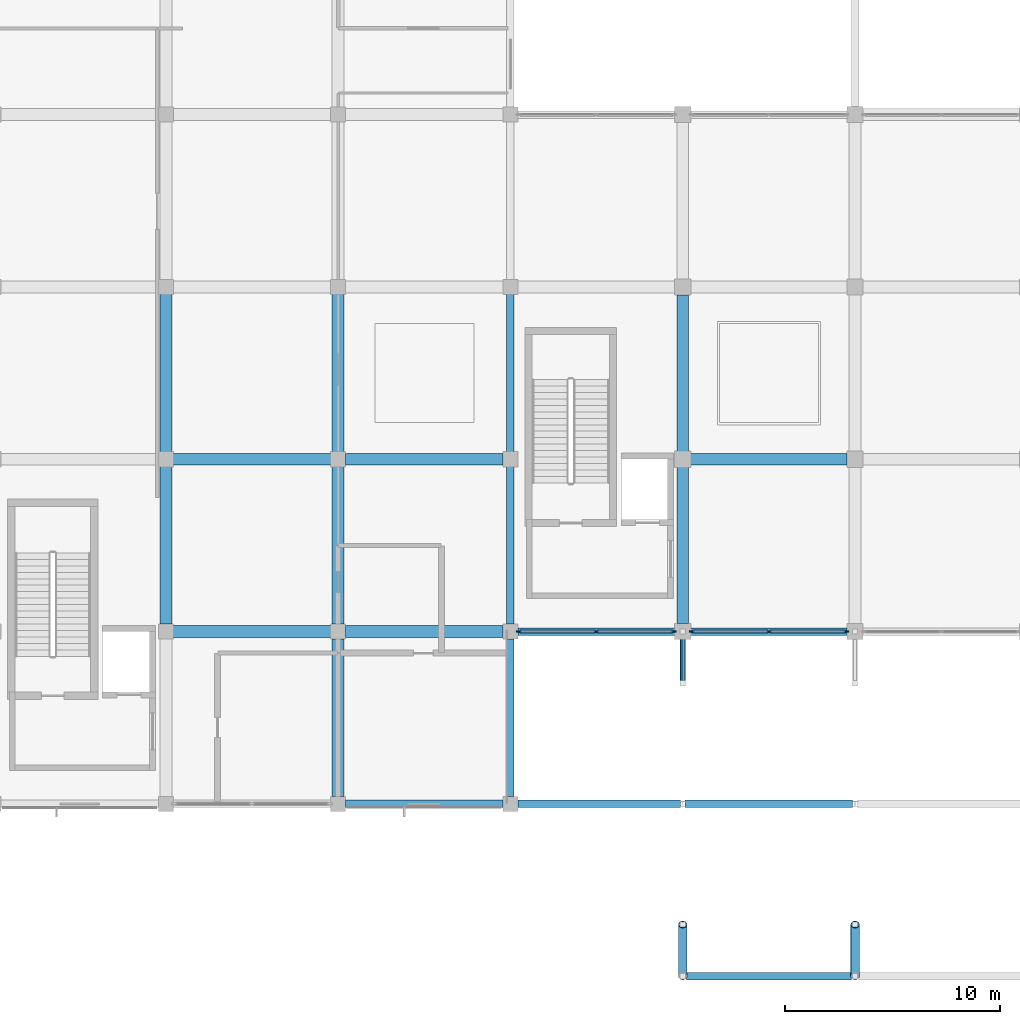
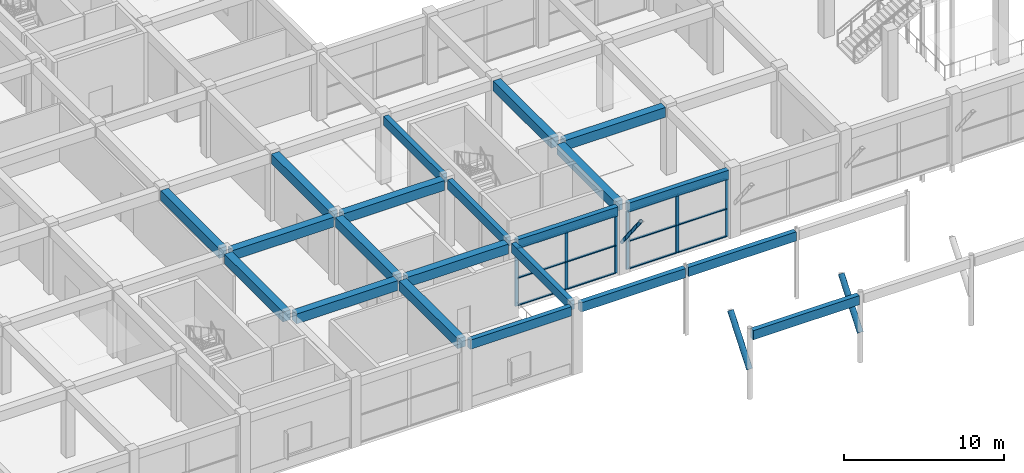
# One storey, part 10 of 69: 21 beams, 21 members, 2 elements without a shape of their own.
"""IFC4 building model written with IfcOpenShell, lengths in metres."""

from ifc_helpers import new_model, si_unit, direction, frame, origin, origin_2d, place, context, subcontext, project, spatial, rectangle, hollow_circle, extrude, material, material_profile, profile_set, type_object, element, aggregate, save


model = new_model("IFC4")

# Units and contexts
model_context = context("Model", 3, precision=1e-05, world=origin(), true_north=direction((0.0, 1.0)))
body_context = subcontext(model_context, "Body", "Model", "MODEL_VIEW")
ifc_project = project(units=[si_unit("LENGTHUNIT", "METRE"), si_unit("AREAUNIT", "SQUARE_METRE"), si_unit("VOLUMEUNIT", "CUBIC_METRE"), si_unit("PLANEANGLEUNIT", "RADIAN"), si_unit("MASSUNIT", "GRAM", prefix="KILO")], contexts=[model_context])

# Site, building, storey
site_placement = place(None, origin())
site = spatial("IfcSite", under=ifc_project, at=site_placement, CompositionType="ELEMENT")
building_placement = place(site_placement, origin())
building = spatial("IfcBuilding", under=site, at=building_placement, Name="Kenh Van Central Station", CompositionType="ELEMENT")
storey_placement = place(building_placement, frame((0.0, 0.0, 5.39990234375)))
storey = spatial("IfcBuildingStorey", under=building, at=storey_placement, Name="L01", CompositionType="ELEMENT", Elevation=5.39990234375)

# Beams
ifc_material_1 = material(Name="Concrete C35/45", Category="concrete")
ifc_material_profile_1 = material_profile(ifc_material_1, rectangle(XDim=0.550048828125, YDim=0.75, at=origin_2d()), Name="RC 550x750")
ifc_profile_set_1 = profile_set([ifc_material_profile_1], Name="Concrete C35/45")
beam_type_1 = type_object("IfcBeamType", Name="BM-RC-550x750", PredefinedType="BEAM", material=ifc_profile_set_1)
for number, where, z_axis, x_axis, name in (
    (1, (32.340087890625, 16.0, 4.76513671875), (1.0, 0.0, 0.0), (0.0, 1.0, 0.0), "L01 beam 0639"),
    (2, (40.340087890625, 16.0, 4.76513671875), (1.0, 0.0, 0.0), (0.0, 1.0, 0.0), "L01 beam 0640"),
    (3, (32.340087890625, 24.0, 4.76513671875), (1.0, 0.0, 0.0), (0.0, 1.0, 0.0), "L01 beam 0659"),
    (4, (40.340087890625, 24.0, 4.76513671875), (1.0, 0.0, 0.0), (0.0, 1.0, 0.0), "L01 beam 0660"),
):
    element("IfcBeam", number, at=place(storey_placement, frame(where, z_axis=z_axis, x_axis=x_axis)), inside=storey, type_object=beam_type_1, Name=name, PredefinedType="BEAM", context=body_context, shape_type="SweptSolid", body=[
        extrude(rectangle(XDim=0.550048828125, YDim=0.75, at=origin_2d()), origin(), (0.0, 0.0, 1.0), 7.31982421875),
    ])
beam_1_placement = place(storey_placement, frame((56.364990234375, 24.0, 4.755126953125), z_axis=(1.0, 0.0, 0.0), x_axis=(0.0, 1.0, 0.0)))
element("IfcBeam", 5, at=beam_1_placement, inside=storey, type_object=beam_type_1, Name="L01 beam 0661", PredefinedType="BEAM", context=body_context, shape_type="SweptSolid", body=[
    extrude(rectangle(XDim=0.550048828125, YDim=0.75, at=origin_2d()), origin(), (0.0, 0.0, 1.0), 7.27001953125),
])
for number, where, z_axis, x_axis, name in (
    (6, (32.0, 16.340087890625, 4.76513671875), (0.0, 1.0, 0.0), (-1.0, 0.0, 0.0), "L01 beam 0786"),
    (7, (32.0, 24.340087890625, 4.76513671875), (0.0, 1.0, 0.0), (-1.0, 0.0, 0.0), "L01 beam 0787"),
    (8, (40.0, 8.340087890625, 4.76513671875), (0.0, 1.0, 0.0), (-1.0, 0.0, 0.0), "L01 beam 0792"),
    (9, (40.0, 16.340087890625, 4.76513671875), (0.0, 1.0, 0.0), (-1.0, 0.0, 0.0), "L01 beam 0793"),
    (10, (40.0, 24.340087890625, 4.76513671875), (0.0, 1.0, 0.0), (-1.0, 0.0, 0.0), "L01 beam 0794"),
):
    element("IfcBeam", number, at=place(storey_placement, frame(where, z_axis=z_axis, x_axis=x_axis)), inside=storey, type_object=beam_type_1, Name=name, PredefinedType="BEAM", context=body_context, shape_type="SweptSolid", body=[
        extrude(rectangle(XDim=0.550048828125, YDim=0.75, at=origin_2d()), origin(), (0.0, 0.0, 1.0), 7.31982421875),
    ])
for number, where, z_axis, x_axis, name in (
    (11, (56.0, 16.364990234375, 4.755126953125), (0.0, 1.0, 0.0), (-1.0, 0.0, 0.0), "L01 beam 0806"),
    (12, (56.0, 24.364990234375, 4.755126953125), (0.0, 1.0, 0.0), (-1.0, 0.0, 0.0), "L01 beam 0807"),
):
    element("IfcBeam", number, at=place(storey_placement, frame(where, z_axis=z_axis, x_axis=x_axis)), inside=storey, type_object=beam_type_1, Name=name, PredefinedType="BEAM", context=body_context, shape_type="SweptSolid", body=[
        extrude(rectangle(XDim=0.550048828125, YDim=0.75, at=origin_2d()), origin(), (0.0, 0.0, 1.0), 7.27001953125),
    ])

# Curtain wall, members
ifc_material_2 = material(Name="Champagne anodised aluminium", Category="aluminium")
curtain_wall_type = type_object("IfcCurtainWallType", Name="CW-CONC-A", PredefinedType="NOTDEFINED", material=ifc_material_2)
curtain_wall_1_placement = place(storey_placement, origin())
curtain_wall_1 = element("IfcCurtainWall", 13, at=curtain_wall_1_placement, inside=storey, type_object=curtain_wall_type, Name="L01 curtain wall 103", PredefinedType="NOTDEFINED")
ifc_material_profile_2 = material_profile(ifc_material_2, rectangle(XDim=0.08203125, YDim=0.22509765625, at=origin_2d()), Name="AL 82x225")
ifc_profile_set_2 = profile_set([ifc_material_profile_2], Name="Champagne anodised aluminium")
member_type_1 = type_object("IfcMemberType", Name="CWM-70x180", PredefinedType="MULLION", material=ifc_profile_set_2)
member_1_placement = place(storey_placement, frame((48.39111328125, 16.0, 0.0), z_axis=(0.0, 0.0, 1.0), x_axis=(0.0, 1.0, 0.0)))
member_1 = element("IfcMember", 14, at=member_1_placement, type_object=member_type_1, Name="CW-03 mullion 1", PredefinedType="MULLION", context=body_context, shape_type="SweptSolid", body=[
    extrude(rectangle(XDim=0.08203125, YDim=0.22509765625, at=origin_2d()), origin(), (0.0, 0.0, 1.0), 4.43017578125),
])
member_2_placement = place(storey_placement, frame((51.987548828125, 16.0, 0.0), z_axis=(0.0, 0.0, 1.0), x_axis=(0.0, 1.0, 0.0)))
member_2 = element("IfcMember", 15, at=member_2_placement, type_object=member_type_1, Name="CW-03 mullion 2", PredefinedType="MULLION", context=body_context, shape_type="SweptSolid", body=[
    extrude(rectangle(XDim=0.08203125, YDim=0.22509765625, at=origin_2d()), origin(), (0.0, 0.0, 1.0), 4.43017578125),
])
member_3_placement = place(storey_placement, frame((55.583984375, 16.0, 0.0), z_axis=(0.0, 0.0, 1.0), x_axis=(0.0, 1.0, 0.0)))
member_3 = element("IfcMember", 16, at=member_3_placement, type_object=member_type_1, Name="CW-03 mullion 3", PredefinedType="MULLION", context=body_context, shape_type="SweptSolid", body=[
    extrude(rectangle(XDim=0.08203125, YDim=0.22509765625, at=origin_2d()), origin(), (0.0, 0.0, 1.0), 4.43017578125),
])

curtain_wall_2_placement = place(storey_placement, origin())
curtain_wall_2 = element("IfcCurtainWall", 17, at=curtain_wall_2_placement, inside=storey, type_object=curtain_wall_type, Name="L01 curtain wall 104", PredefinedType="NOTDEFINED")
member_4_placement = place(storey_placement, frame((56.416015625, 16.0, 0.0), z_axis=(0.0, 0.0, 1.0), x_axis=(0.0, 1.0, 0.0)))
member_4 = element("IfcMember", 18, at=member_4_placement, type_object=member_type_1, Name="CW-03 mullion 1", PredefinedType="MULLION", context=body_context, shape_type="SweptSolid", body=[
    extrude(rectangle(XDim=0.08203125, YDim=0.22509765625, at=origin_2d()), origin(), (0.0, 0.0, 1.0), 4.43017578125),
])
member_5_placement = place(storey_placement, frame((60.0, 16.0, 0.0), z_axis=(0.0, 0.0, 1.0), x_axis=(0.0, 1.0, 0.0)))
member_5 = element("IfcMember", 19, at=member_5_placement, type_object=member_type_1, Name="CW-03 mullion 2", PredefinedType="MULLION", context=body_context, shape_type="SweptSolid", body=[
    extrude(rectangle(XDim=0.08203125, YDim=0.22509765625, at=origin_2d()), origin(), (0.0, 0.0, 1.0), 4.43017578125),
])
member_6_placement = place(storey_placement, frame((63.583984375, 16.0, 0.0), z_axis=(0.0, 0.0, 1.0), x_axis=(0.0, 1.0, 0.0)))
member_6 = element("IfcMember", 20, at=member_6_placement, type_object=member_type_1, Name="CW-03 mullion 3", PredefinedType="MULLION", context=body_context, shape_type="SweptSolid", body=[
    extrude(rectangle(XDim=0.08203125, YDim=0.22509765625, at=origin_2d()), origin(), (0.0, 0.0, 1.0), 4.43017578125),
])

# Member
ifc_material_profile_3 = material_profile(ifc_material_2, rectangle(XDim=0.155029296875, YDim=0.072021484375, at=origin_2d()), Name="AL 155x72")
ifc_profile_set_3 = profile_set([ifc_material_profile_3], Name="Champagne anodised aluminium")
member_type_2 = type_object("IfcMemberType", Name="CWT-120x60", PredefinedType="USERDEFINED", material=ifc_profile_set_3)
member_7_placement = place(storey_placement, frame((48.431884765625, 16.0, 0.0361328125), z_axis=(1.0, 0.0, 0.0), x_axis=(0.0, 1.0, 0.0)))
member_7 = element("IfcMember", 21, at=member_7_placement, type_object=member_type_2, Name="CW-03 transom 1.1", ObjectType="TRANSOM", PredefinedType="USERDEFINED", context=body_context, shape_type="SweptSolid", body=[
    extrude(rectangle(XDim=0.155029296875, YDim=0.072021484375, at=origin_2d()), origin(), (0.0, 0.0, 1.0), 3.5146484375),
])

member_8_placement = place(storey_placement, frame((48.431884765625, 16.0, 2.12646484375), z_axis=(1.0, 0.0, 0.0), x_axis=(0.0, 1.0, 0.0)))
member_8 = element("IfcMember", 22, at=member_8_placement, type_object=member_type_2, Name="CW-03 transom 1.2", ObjectType="TRANSOM", PredefinedType="USERDEFINED", context=body_context, shape_type="SweptSolid", body=[
    extrude(rectangle(XDim=0.155029296875, YDim=0.072021484375, at=origin_2d()), origin(), (0.0, 0.0, 1.0), 3.5146484375),
])

member_9_placement = place(storey_placement, frame((48.431884765625, 16.0, 4.39404296875), z_axis=(1.0, 0.0, 0.0), x_axis=(0.0, 1.0, 0.0)))
member_9 = element("IfcMember", 23, at=member_9_placement, type_object=member_type_2, Name="CW-03 transom 1.3", ObjectType="TRANSOM", PredefinedType="USERDEFINED", context=body_context, shape_type="SweptSolid", body=[
    extrude(rectangle(XDim=0.155029296875, YDim=0.072021484375, at=origin_2d()), origin(), (0.0, 0.0, 1.0), 3.5146484375),
])

member_10_placement = place(storey_placement, frame((52.028564453125, 16.0, 0.0361328125), z_axis=(1.0, 0.0, 0.0), x_axis=(0.0, 1.0, 0.0)))
member_10 = element("IfcMember", 24, at=member_10_placement, type_object=member_type_2, Name="CW-03 transom 2.1", ObjectType="TRANSOM", PredefinedType="USERDEFINED", context=body_context, shape_type="SweptSolid", body=[
    extrude(rectangle(XDim=0.155029296875, YDim=0.072021484375, at=origin_2d()), origin(), (0.0, 0.0, 1.0), 3.514404296875),
])

member_11_placement = place(storey_placement, frame((52.028564453125, 16.0, 2.12646484375), z_axis=(1.0, 0.0, 0.0), x_axis=(0.0, 1.0, 0.0)))
member_11 = element("IfcMember", 25, at=member_11_placement, type_object=member_type_2, Name="CW-03 transom 2.2", ObjectType="TRANSOM", PredefinedType="USERDEFINED", context=body_context, shape_type="SweptSolid", body=[
    extrude(rectangle(XDim=0.155029296875, YDim=0.072021484375, at=origin_2d()), origin(), (0.0, 0.0, 1.0), 3.514404296875),
])

member_12_placement = place(storey_placement, frame((52.028564453125, 16.0, 4.39404296875), z_axis=(1.0, 0.0, 0.0), x_axis=(0.0, 1.0, 0.0)))
member_12 = element("IfcMember", 26, at=member_12_placement, type_object=member_type_2, Name="CW-03 transom 2.3", ObjectType="TRANSOM", PredefinedType="USERDEFINED", context=body_context, shape_type="SweptSolid", body=[
    extrude(rectangle(XDim=0.155029296875, YDim=0.072021484375, at=origin_2d()), origin(), (0.0, 0.0, 1.0), 3.514404296875),
])

aggregate(curtain_wall_1, [member_1, member_2, member_3, member_7, member_8, member_9, member_10, member_11, member_12])

member_13_placement = place(storey_placement, frame((56.45703125, 16.0, 0.0361328125), z_axis=(1.0, 0.0, 0.0), x_axis=(0.0, 1.0, 0.0)))
member_13 = element("IfcMember", 27, at=member_13_placement, type_object=member_type_2, Name="CW-03 transom 1.1", ObjectType="TRANSOM", PredefinedType="USERDEFINED", context=body_context, shape_type="SweptSolid", body=[
    extrude(rectangle(XDim=0.155029296875, YDim=0.072021484375, at=origin_2d()), origin(), (0.0, 0.0, 1.0), 3.501953125),
])

member_14_placement = place(storey_placement, frame((56.45703125, 16.0, 2.12646484375), z_axis=(1.0, 0.0, 0.0), x_axis=(0.0, 1.0, 0.0)))
member_14 = element("IfcMember", 28, at=member_14_placement, type_object=member_type_2, Name="CW-03 transom 1.2", ObjectType="TRANSOM", PredefinedType="USERDEFINED", context=body_context, shape_type="SweptSolid", body=[
    extrude(rectangle(XDim=0.155029296875, YDim=0.072021484375, at=origin_2d()), origin(), (0.0, 0.0, 1.0), 3.501953125),
])

member_15_placement = place(storey_placement, frame((56.45703125, 16.0, 4.39404296875), z_axis=(1.0, 0.0, 0.0), x_axis=(0.0, 1.0, 0.0)))
member_15 = element("IfcMember", 29, at=member_15_placement, type_object=member_type_2, Name="CW-03 transom 1.3", ObjectType="TRANSOM", PredefinedType="USERDEFINED", context=body_context, shape_type="SweptSolid", body=[
    extrude(rectangle(XDim=0.155029296875, YDim=0.072021484375, at=origin_2d()), origin(), (0.0, 0.0, 1.0), 3.501953125),
])

member_16_placement = place(storey_placement, frame((60.041015625, 16.0, 0.0361328125), z_axis=(1.0, 0.0, 0.0), x_axis=(0.0, 1.0, 0.0)))
member_16 = element("IfcMember", 30, at=member_16_placement, type_object=member_type_2, Name="CW-03 transom 2.1", ObjectType="TRANSOM", PredefinedType="USERDEFINED", context=body_context, shape_type="SweptSolid", body=[
    extrude(rectangle(XDim=0.155029296875, YDim=0.072021484375, at=origin_2d()), origin(), (0.0, 0.0, 1.0), 3.501953125),
])

member_17_placement = place(storey_placement, frame((60.041015625, 16.0, 2.12646484375), z_axis=(1.0, 0.0, 0.0), x_axis=(0.0, 1.0, 0.0)))
member_17 = element("IfcMember", 31, at=member_17_placement, type_object=member_type_2, Name="CW-03 transom 2.2", ObjectType="TRANSOM", PredefinedType="USERDEFINED", context=body_context, shape_type="SweptSolid", body=[
    extrude(rectangle(XDim=0.155029296875, YDim=0.072021484375, at=origin_2d()), origin(), (0.0, 0.0, 1.0), 3.501953125),
])

member_18_placement = place(storey_placement, frame((60.041015625, 16.0, 4.39404296875), z_axis=(1.0, 0.0, 0.0), x_axis=(0.0, 1.0, 0.0)))
member_18 = element("IfcMember", 32, at=member_18_placement, type_object=member_type_2, Name="CW-03 transom 2.3", ObjectType="TRANSOM", PredefinedType="USERDEFINED", context=body_context, shape_type="SweptSolid", body=[
    extrude(rectangle(XDim=0.155029296875, YDim=0.072021484375, at=origin_2d()), origin(), (0.0, 0.0, 1.0), 3.501953125),
])

aggregate(curtain_wall_2, [member_4, member_5, member_6, member_13, member_14, member_15, member_16, member_17, member_18])

# Members
ifc_material_3 = material(Name="White fluoropolymer structural steel S355", Category="steel")
ifc_material_profile_4 = material_profile(ifc_material_3, hollow_circle(Radius=0.122314453125, WallThickness=0.008056640625, at=origin_2d()), Name="CHS 244.5x8")
ifc_profile_set_4 = profile_set([ifc_material_profile_4], Name="White fluoropolymer structural steel S355")
member_type_3 = type_object("IfcMemberType", Name="MEM-STR-CHS245", PredefinedType="STRUT", material=ifc_profile_set_4)
member_19_placement = place(storey_placement, frame((56.0, 16.0, 2.2001953125), z_axis=(0.0, -0.618399278254, 0.785864067543), x_axis=(1.0, 0.0, 0.0)))
element("IfcMember", 33, at=member_19_placement, inside=storey, type_object=member_type_3, Name="Forecourt canopy raked strut 02", PredefinedType="STRUT", context=body_context, shape_type="SweptSolid", body=[
    extrude(hollow_circle(Radius=0.122314453125, WallThickness=0.008056640625, at=origin_2d()), origin(), (0.0, 0.0, 1.0), 3.880859375),
])
ifc_material_profile_5 = material_profile(ifc_material_3, hollow_circle(Radius=0.203125, WallThickness=0.012451171875, at=origin_2d()), Name="CHS 406.4x12.5")
ifc_profile_set_5 = profile_set([ifc_material_profile_5], Name="White fluoropolymer structural steel S355")
member_type_4 = type_object("IfcMemberType", Name="MEM-STR-CHS406", PredefinedType="STRUT", material=ifc_profile_set_5)
for number, where, z_axis, x_axis, name in (
    (34, (56.0, 0.0, 2.2001953125), (0.0, 0.618399278254, 0.785864067543), (-1.0, 0.0, 0.0), "Forecourt canopy raked strut 01"),
    (35, (64.0, 0.0, 2.2001953125), (0.0, 0.618399278254, 0.785864067543), (-1.0, 0.0, 0.0), "Forecourt canopy raked strut 03"),
):
    element("IfcMember", number, at=place(storey_placement, frame(where, z_axis=z_axis, x_axis=x_axis)), inside=storey, type_object=member_type_4, Name=name, PredefinedType="STRUT", context=body_context, shape_type="SweptSolid", body=[
        extrude(hollow_circle(Radius=0.203125, WallThickness=0.012451171875, at=origin_2d()), origin(), (0.0, 0.0, 1.0), 3.880859375),
    ])

# Beams
ifc_material_profile_6 = material_profile(ifc_material_1, rectangle(XDim=0.35009765625, YDim=0.699951171875, at=origin_2d()), Name="RC 350x700")
ifc_profile_set_6 = profile_set([ifc_material_profile_6], Name="Concrete C35/45")
beam_type_2 = type_object("IfcBeamType", Name="SPD-RC-350x700", PredefinedType="SPANDREL", material=ifc_profile_set_6)
beam_2_placement = place(storey_placement, frame((56.167724609375, 0.0, 4.830078125), z_axis=(1.0, 0.0, 0.0), x_axis=(0.0, 1.0, 0.0)))
element("IfcBeam", 36, at=beam_2_placement, inside=storey, type_object=beam_type_2, Name="L01 beam 0614", PredefinedType="SPANDREL", context=body_context, shape_type="SweptSolid", body=[
    extrude(rectangle(XDim=0.35009765625, YDim=0.699951171875, at=origin_2d()), origin(), (0.0, 0.0, 1.0), 7.66455078125),
])
beam_3_placement = place(storey_placement, frame((40.340087890625, 8.0, 4.7900390625), z_axis=(1.0, 0.0, 0.0), x_axis=(0.0, 1.0, 0.0)))
element("IfcBeam", 37, at=beam_3_placement, inside=storey, type_object=beam_type_2, Name="L01 beam 0625", PredefinedType="SPANDREL", context=body_context, shape_type="SweptSolid", body=[
    extrude(rectangle(XDim=0.35009765625, YDim=0.699951171875, at=origin_2d()), origin(), (0.0, 0.0, 1.0), 7.31982421875),
])
beam_4_placement = place(storey_placement, frame((48.340087890625, 8.0, 4.830078125), z_axis=(1.0, 0.0, 0.0), x_axis=(0.0, 1.0, 0.0)))
element("IfcBeam", 38, at=beam_4_placement, inside=storey, type_object=beam_type_2, Name="L01 beam 0626", PredefinedType="SPANDREL", context=body_context, shape_type="SweptSolid", body=[
    extrude(rectangle(XDim=0.35009765625, YDim=0.699951171875, at=origin_2d()), origin(), (0.0, 0.0, 1.0), 7.5498046875),
])
beam_5_placement = place(storey_placement, frame((56.110107421875, 8.0, 4.830078125), z_axis=(1.0, 0.0, 0.0), x_axis=(0.0, 1.0, 0.0)))
element("IfcBeam", 39, at=beam_5_placement, inside=storey, type_object=beam_type_2, Name="L01 beam 0627", PredefinedType="SPANDREL", context=body_context, shape_type="SweptSolid", body=[
    extrude(rectangle(XDim=0.35009765625, YDim=0.699951171875, at=origin_2d()), origin(), (0.0, 0.0, 1.0), 7.77978515625),
])
beam_6_placement = place(storey_placement, frame((48.340087890625, 16.0, 4.780029296875), z_axis=(1.0, 0.0, 0.0), x_axis=(0.0, 1.0, 0.0)))
element("IfcBeam", 40, at=beam_6_placement, inside=storey, type_object=beam_type_2, Name="L01 beam 0641", PredefinedType="SPANDREL", context=body_context, shape_type="SweptSolid", body=[
    extrude(rectangle(XDim=0.35009765625, YDim=0.699951171875, at=origin_2d()), origin(), (0.0, 0.0, 1.0), 7.294921875),
])
beam_7_placement = place(storey_placement, frame((56.364990234375, 16.0, 4.780029296875), z_axis=(1.0, 0.0, 0.0), x_axis=(0.0, 1.0, 0.0)))
element("IfcBeam", 41, at=beam_7_placement, inside=storey, type_object=beam_type_2, Name="L01 beam 0642", PredefinedType="SPANDREL", context=body_context, shape_type="SweptSolid", body=[
    extrude(rectangle(XDim=0.35009765625, YDim=0.699951171875, at=origin_2d()), origin(), (0.0, 0.0, 1.0), 7.27001953125),
])
for number, where, z_axis, x_axis, name in (
    (42, (48.0, 8.340087890625, 4.830078125), (0.0, 1.0, 0.0), (-1.0, 0.0, 0.0), "L01 beam 0799"),
    (43, (48.0, 16.340087890625, 4.830078125), (0.0, 1.0, 0.0), (-1.0, 0.0, 0.0), "L01 beam 0800"),
    (44, (48.0, 24.340087890625, 4.830078125), (0.0, 1.0, 0.0), (-1.0, 0.0, 0.0), "L01 beam 0801"),
):
    element("IfcBeam", number, at=place(storey_placement, frame(where, z_axis=z_axis, x_axis=x_axis)), inside=storey, type_object=beam_type_2, Name=name, PredefinedType="SPANDREL", context=body_context, shape_type="SweptSolid", body=[
        extrude(rectangle(XDim=0.35009765625, YDim=0.699951171875, at=origin_2d()), origin(), (0.0, 0.0, 1.0), 7.31982421875),
    ])

save(model, "model.ifc")
